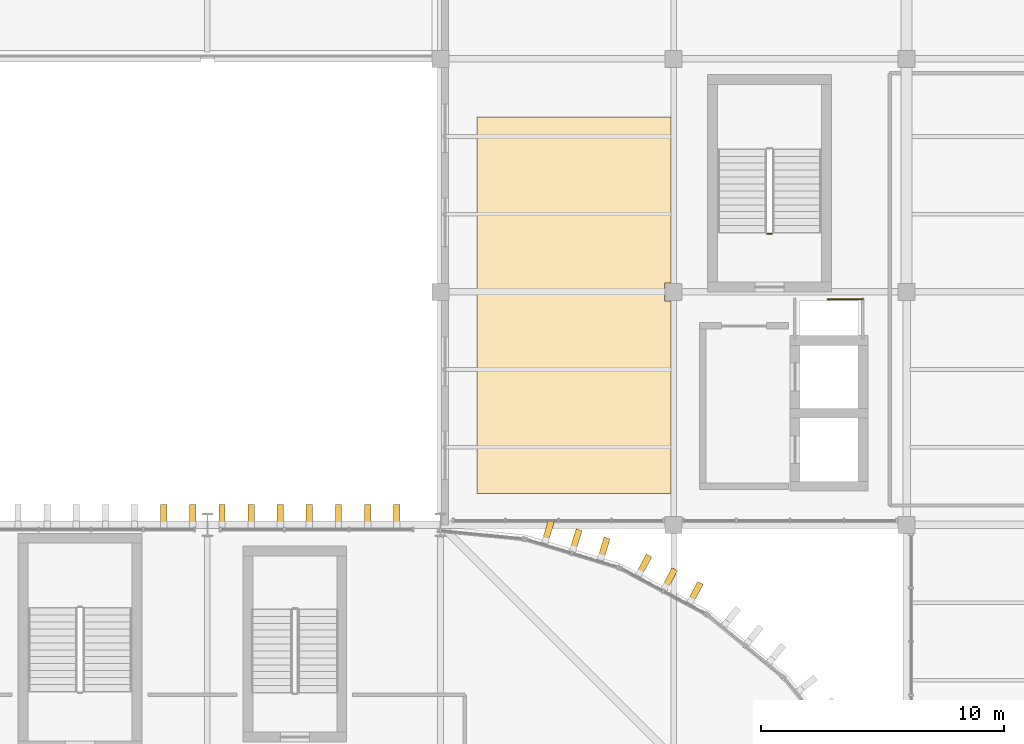
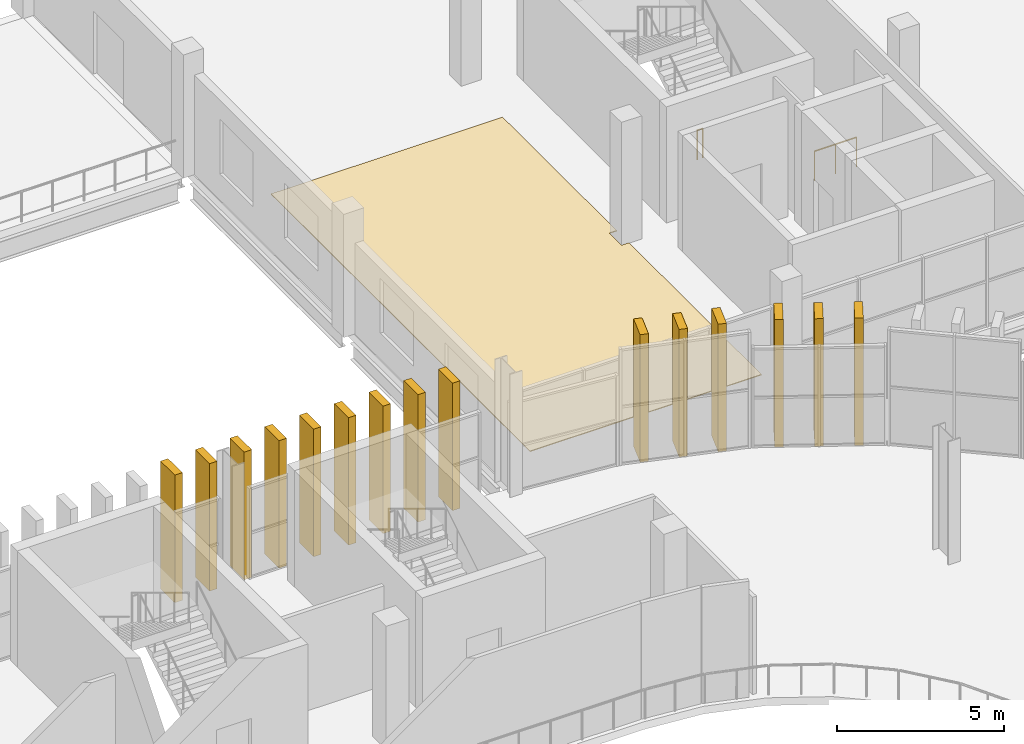
# One storey, part 73 of 75: 16 coverings, 2 railings.
"""IFC4 building model written with IfcOpenShell, lengths in metres."""

from ifc_helpers import new_model, si_unit, direction, frame, origin, origin_2d, place, context, subcontext, project, spatial, polyline, rectangle, circle, outline, extrude, material, layer, layer_set, material_profile, profile_set, type_object, element, save


model = new_model("IFC4")

# Units and contexts
model_context = context("Model", 3, precision=1e-05, world=origin(), true_north=direction((0.0, 1.0)))
body_context = subcontext(model_context, "Body", "Model", "MODEL_VIEW")
ifc_project = project(units=[si_unit("LENGTHUNIT", "METRE"), si_unit("AREAUNIT", "SQUARE_METRE"), si_unit("VOLUMEUNIT", "CUBIC_METRE"), si_unit("PLANEANGLEUNIT", "RADIAN"), si_unit("MASSUNIT", "GRAM", prefix="KILO")], contexts=[model_context])

# Site, building, storey
site_placement = place(None, origin())
site = spatial("IfcSite", under=ifc_project, at=site_placement, CompositionType="ELEMENT")
building_placement = place(site_placement, origin())
building = spatial("IfcBuilding", under=site, at=building_placement, Name="Caelomonte Colonnade Arena", CompositionType="ELEMENT")
storey_placement = place(building_placement, frame((0.0, 0.0, 14.10009765625)))
storey = spatial("IfcBuildingStorey", under=building, at=storey_placement, Name="L03", CompositionType="ELEMENT", Elevation=14.10009765625)

# Coverings
ifc_material_1 = material(Name="Precast travertine cladding", Category="masonry")
ifc_material_profile = material_profile(ifc_material_1, rectangle(XDim=0.260009765625, YDim=0.85009765625, at=origin_2d()), Name="FIN260X850")
ifc_profile_set = profile_set([ifc_material_profile], Name="Precast travertine cladding")
covering_type_1 = type_object("IfcCoveringType", Name="ENV-FN-SHAFT", PredefinedType="CLADDING", material=ifc_profile_set)
for number, where, z_axis, x_axis, name in (
    (1, (154.508544921875, 112.436767578125, -0.16015625), (0.0, 0.0, 1.0), (0.881921264348, -0.471396736826, 0.0), "V1 L03 classical travertine vertical fin 84"),
    (2, (153.4501953125, 113.00244140625, -0.16015625), (0.0, 0.0, 1.0), (0.881921264348, -0.471396736826, 0.0), "V1 L03 classical travertine vertical fin 85"),
    (3, (152.391845703125, 113.568115234375, -0.16015625), (0.0, 0.0, 1.0), (0.881921264348, -0.471396736826, 0.0), "V1 L03 classical travertine vertical fin 86"),
    (4, (150.7373046875, 114.25341796875, -0.16015625), (0.0, 0.0, 1.0), (0.956942868907, -0.290276326364, 0.0), "V1 L03 classical travertine vertical fin 87"),
    (5, (149.5888671875, 114.601806640625, -0.16015625), (0.0, 0.0, 1.0), (0.956942868907, -0.290276326364, 0.0), "V1 L03 classical travertine vertical fin 88"),
    (6, (148.4404296875, 114.9501953125, -0.16015625), (0.0, 0.0, 1.0), (0.956942868907, -0.290276326364, 0.0), "V1 L03 classical travertine vertical fin 89"),
    (7, (142.199951171875, 115.62109375, -0.16015625), (0.0, 0.0, 1.0), (1.0, 0.0, 0.0), "V1 L03 classical travertine vertical fin 93"),
    (8, (141.0, 115.62109375, -0.16015625), (0.0, 0.0, 1.0), (1.0, 0.0, 0.0), "V1 L03 classical travertine vertical fin 94"),
    (9, (139.800048828125, 115.62109375, -0.16015625), (0.0, 0.0, 1.0), (1.0, 0.0, 0.0), "V1 L03 classical travertine vertical fin 95"),
    (10, (138.60009765625, 115.62109375, -0.16015625), (0.0, 0.0, 1.0), (1.0, 0.0, 0.0), "V1 L03 classical travertine vertical fin 96"),
    (11, (137.39990234375, 115.62109375, -0.16015625), (0.0, 0.0, 1.0), (1.0, 0.0, 0.0), "V1 L03 classical travertine vertical fin 97"),
    (12, (136.199951171875, 115.62109375, -0.16015625), (0.0, 0.0, 1.0), (1.0, 0.0, 0.0), "V1 L03 classical travertine vertical fin 98"),
    (13, (135.0, 115.62109375, -0.16015625), (0.0, 0.0, 1.0), (1.0, 0.0, 0.0), "V1 L03 classical travertine vertical fin 99"),
    (14, (133.800048828125, 115.62109375, -0.16015625), (0.0, 0.0, 1.0), (1.0, 0.0, 0.0), "V1 L03 classical travertine vertical fin 100"),
    (15, (132.60009765625, 115.62109375, -0.16015625), (0.0, 0.0, 1.0), (1.0, 0.0, 0.0), "V1 L03 classical travertine vertical fin 101"),
):
    element("IfcCovering", number, at=place(storey_placement, frame(where, z_axis=z_axis, x_axis=x_axis)), inside=storey, type_object=covering_type_1, Name=name, PredefinedType="CLADDING", context=body_context, shape_type="SweptSolid", body=[
        extrude(rectangle(XDim=0.260009765625, YDim=0.85009765625, at=origin_2d()), origin(), (0.0, 0.0, 1.0), 4.66015625),
    ])
ifc_material_2 = material(Name="Polished travertine terrazzo concourse flooring", Category="masonry")
ifc_layer = layer(ifc_material_2, 0.030029296875)
ifc_layer_set = layer_set([ifc_layer], Name="Polished travertine terrazzo concourse flooring")
covering_type_2 = type_object("IfcCoveringType", Name="INT-CV-FLR2", PredefinedType="FLOORING", material=ifc_layer_set)
covering_placement = place(storey_placement, origin())
element("IfcCovering", 16, at=covering_placement, inside=storey, type_object=covering_type_2, Name="Hospitality suite foyer terrazzo flooring", PredefinedType="FLOORING", context=body_context, shape_type="SweptSolid", body=[
    extrude(outline(polyline([(153.5, 116.5), (153.5, 124.43505859375), (153.235107421875, 124.43505859375), (153.235107421875, 125.1650390625), (153.5, 125.1650390625), (153.5, 132.0), (145.5, 132.0), (145.5, 116.5), (153.5, 116.5)])), origin(), (0.0, 0.0, 1.0), 0.02978515625),
])

# Railings
ifc_material_3 = material(Name="Painted galvanized steel stair guard", Category="steel")
railing_type = type_object("IfcRailingType", Name="INT-RL-GRD", PredefinedType="GUARDRAIL", material=ifc_material_3)
railing_1_placement = place(storey_placement, frame((157.64990234375, 127.199951171875, 0.0)))
element("IfcRailing", 17, at=railing_1_placement, inside=storey, type_object=railing_type, Name="L03 ST-06 stair guard 4", PredefinedType="GUARDRAIL", context=body_context, shape_type="SweptSolid", body=[
    extrude(circle(Radius=0.02392578125, at=origin_2d()), frame((0.0, 0.0, 1.076171875), z_axis=(-1.0, 0.0, 0.0), x_axis=(0.0, -1.0, 0.0)), (0.0, 0.0, 1.0), 0.199951171875),
    extrude(circle(Radius=0.02099609375, at=origin_2d()), origin(), (0.0, 0.0, 1.0), 1.048095703125),
    extrude(circle(Radius=0.02099609375, at=origin_2d()), frame((-0.199951171875, 0.0, 0.0)), (0.0, 0.0, 1.0), 1.048095703125),
])
railing_2_placement = place(storey_placement, frame((159.949951171875, 124.5, 0.0)))
element("IfcRailing", 18, at=railing_2_placement, inside=storey, type_object=railing_type, Name="Core C6 L03 riser opening guard", PredefinedType="GUARDRAIL", context=body_context, shape_type="SweptSolid", body=[
    extrude(circle(Radius=0.02392578125, at=origin_2d()), frame((0.0, 0.0, 1.076171875), z_axis=(1.0, 0.0, 0.0), x_axis=(0.0, 1.0, 0.0)), (0.0, 0.0, 1.0), 1.449951171875),
    extrude(circle(Radius=0.02099609375, at=origin_2d()), origin(), (0.0, 0.0, 1.0), 1.048095703125),
    extrude(circle(Radius=0.02099609375, at=origin_2d()), frame((0.72509765625, 0.0, 0.0)), (0.0, 0.0, 1.0), 1.048095703125),
    extrude(circle(Radius=0.02099609375, at=origin_2d()), frame((1.449951171875, 0.0, 0.0)), (0.0, 0.0, 1.0), 1.048095703125),
])

save(model, "model.ifc")
